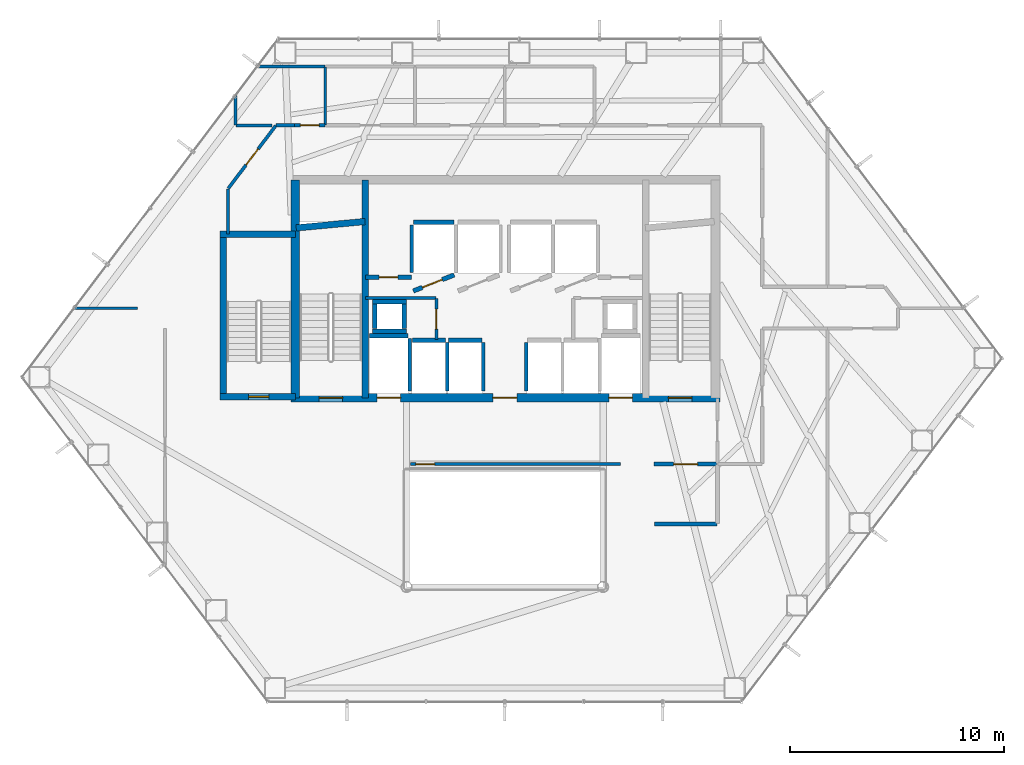
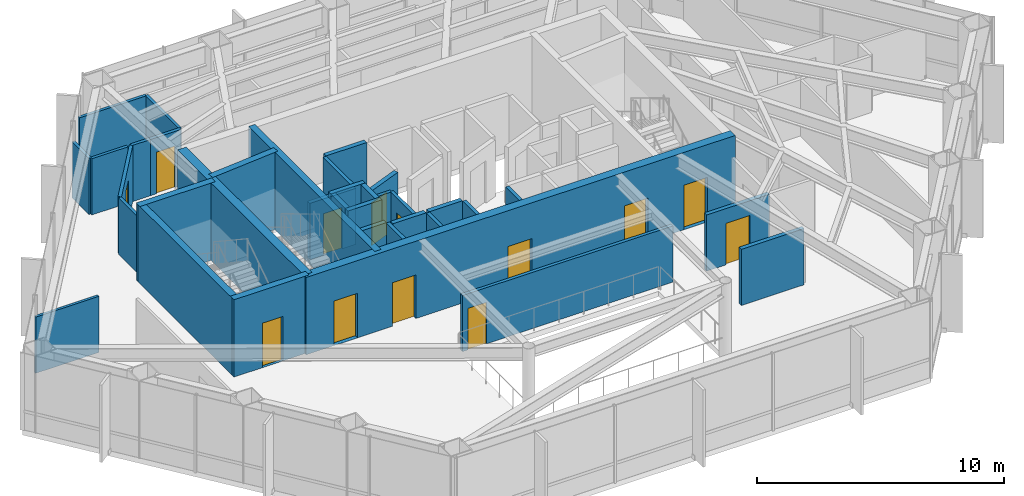
# One storey, part 22 of 25: 36 walls, 13 doors, 13 openings.
"""IFC4 building model written with IfcOpenShell, lengths in metres."""

from ifc_helpers import new_model, si_unit, direction, frame, frame_2d, origin, place, context, subcontext, project, spatial, rectangle, extrude, material, layer, layer_set, type_object, element, fill, save


model = new_model("IFC4")

# Units and contexts
model_context = context("Model", 3, precision=1e-05, world=origin(), true_north=direction((0.0, 1.0)))
body_context = subcontext(model_context, "Body", "Model", "MODEL_VIEW")
ifc_project = project(units=[si_unit("LENGTHUNIT", "METRE"), si_unit("AREAUNIT", "SQUARE_METRE"), si_unit("VOLUMEUNIT", "CUBIC_METRE"), si_unit("PLANEANGLEUNIT", "RADIAN"), si_unit("MASSUNIT", "GRAM", prefix="KILO")], contexts=[model_context])

# Site, building, storey
site_placement = place(None, origin())
site = spatial("IfcSite", under=ifc_project, at=site_placement, CompositionType="ELEMENT")
building_placement = place(site_placement, origin())
building = spatial("IfcBuilding", under=site, at=building_placement, Name="Zarrinselat Tower", CompositionType="ELEMENT")
storey_placement = place(building_placement, frame((0.0, 0.0, 39.780029296875)))
storey = spatial("IfcBuildingStorey", under=building, at=storey_placement, Name="L09", CompositionType="ELEMENT", Elevation=39.780029296875)

# Wall, opening, door
ifc_material_1 = material(Name="Concrete C40/50", Category="concrete")
ifc_layer_1 = layer(ifc_material_1, 0.18994140625)
ifc_layer_set_1 = layer_set([ifc_layer_1], Name="Concrete C40/50")
wall_type_1 = type_object("IfcWallType", Name="WAL-PART-EI120", PredefinedType="PARTITIONING", material=ifc_layer_set_1)
wall_1_placement = place(storey_placement, frame((45.385009765625, 30.14990234375, 0.0), z_axis=(0.0, 0.0, 1.0), x_axis=(1.0, 0.0, 0.0)))
wall_1 = element("IfcWall", 1, at=wall_1_placement, inside=storey, type_object=wall_type_1, Name="L09 Partition Wall 7", PredefinedType="PARTITIONING", context=body_context, shape_type="SweptSolid", body=[
    extrude(rectangle(XDim=2.945068359375, YDim=0.18994140625, at=frame_2d((1.47265625, 0.0))), origin(), (0.0, 0.0, 1.0), 2.77685546875),
])
opening_1_placement = place(wall_1_placement, frame((0.91259765625, 0.0, 0.0)))
opening_1 = element("IfcOpeningElement", 2, at=opening_1_placement, cuts=wall_1, Name="Opening ID-02", PredefinedType="OPENING", context=body_context, shape_type="SweptSolid", body=[
    extrude(rectangle(XDim=1.1201171875, YDim=2.050048828125, at=frame_2d((0.56005859375, 1.02490234375))), frame((0.0, 0.10498046875, 0.0), z_axis=(0.0, -1.0, 0.0), x_axis=(1.0, 0.0, 0.0)), (0.0, 0.0, 1.0), 0.2099609375),
])
ifc_material_2 = material(Name="Steel S355J2", Category="steel")
door_type_1 = type_object("IfcDoorType", Name="DR-INT-FD60-W", OperationType="NOTDEFINED", PredefinedType="DOOR", material=ifc_material_2)
door_1_placement = place(opening_1_placement, origin())
door_1 = element("IfcDoor", 3, at=door_1_placement, inside=storey, type_object=door_type_1, Name="L09 Interior Door P7", OperationType="SINGLE_SWING_LEFT", OverallHeight=2.050048828125, OverallWidth=1.1201171875, PredefinedType="DOOR", context=body_context, shape_type="SweptSolid", body=[
    extrude(rectangle(XDim=1.1201171875, YDim=2.050048828125, at=frame_2d((0.56005859375, 1.02490234375))), frame((0.0, 0.02490234375, 0.0), z_axis=(0.0, -1.0, 0.0), x_axis=(1.0, 0.0, 0.0)), (0.0, 0.0, 1.0), 0.050048828125),
])
fill(opening_1, door_1)

# Wall
wall_2_placement = place(storey_placement, frame((45.39990234375, 27.35009765625, 0.0), z_axis=(0.0, 0.0, 1.0), x_axis=(1.0, 0.0, 0.0)))
element("IfcWall", 4, at=wall_2_placement, inside=storey, type_object=wall_type_1, Name="L09 Partition Wall 10", PredefinedType="PARTITIONING", context=body_context, shape_type="SweptSolid", body=[
    extrude(rectangle(XDim=2.93017578125, YDim=0.18994140625, at=frame_2d((1.465087890625, 0.0))), origin(), (0.0, 0.0, 1.0), 2.77685546875),
])

# Wall, opening, door
ifc_material_3 = material(Name="Fire-Rated Gypsum Board Partition", Category="gypsum")
ifc_layer_2 = layer(ifc_material_3, 0.14990234375)
ifc_layer_set_2 = layer_set([ifc_layer_2], Name="Fire-Rated Gypsum Board Partition")
wall_type_2 = type_object("IfcWallType", Name="WAL-PART-EI60", PredefinedType="PARTITIONING", material=ifc_layer_set_2)
wall_3_placement = place(storey_placement, frame((35.199951171875, 35.969970703125, 0.0), z_axis=(0.0, 0.0, 1.0), x_axis=(0.0, 1.0, 0.0)))
wall_3 = element("IfcWall", 5, at=wall_3_placement, inside=storey, type_object=wall_type_2, Name="L09 Partition Wall 1", PredefinedType="PARTITIONING", context=body_context, shape_type="SweptSolid", body=[
    extrude(rectangle(XDim=1.929931640625, YDim=0.14990234375, at=frame_2d((0.96484375, 0.0))), origin(), (0.0, 0.0, 1.0), 2.77685546875),
])
opening_2_placement = place(wall_3_placement, frame((0.4951171875, 0.0, 0.0)))
opening_2 = element("IfcOpeningElement", 6, at=opening_2_placement, cuts=wall_3, Name="Opening ID-04", PredefinedType="OPENING", context=body_context, shape_type="SweptSolid", body=[
    extrude(rectangle(XDim=0.93994140625, YDim=2.050048828125, at=frame_2d((0.469970703125, 1.02490234375))), frame((0.0, 0.0849609375, 0.0), z_axis=(0.0, -1.0, 0.0), x_axis=(1.0, 0.0, 0.0)), (0.0, 0.0, 1.0), 0.169921875),
])
ifc_material_4 = material(Name="Fire-Rated Gypsum Board Partition")
door_type_2 = type_object("IfcDoorType", Name="DR-INT-FD30-ENT", OperationType="NOTDEFINED", PredefinedType="DOOR", material=ifc_material_4)
door_2_placement = place(opening_2_placement, origin())
door_2 = element("IfcDoor", 7, at=door_2_placement, inside=storey, type_object=door_type_2, Name="L09 Interior Door P1", OperationType="SINGLE_SWING_LEFT", OverallHeight=2.050048828125, OverallWidth=0.93994140625, PredefinedType="DOOR", context=body_context, shape_type="SweptSolid", body=[
    extrude(rectangle(XDim=0.93994140625, YDim=2.050048828125, at=frame_2d((0.469970703125, 1.02490234375))), frame((0.0, 0.02490234375, 0.0), z_axis=(0.0, -1.0, 0.0), x_axis=(1.0, 0.0, 0.0)), (0.0, 0.0, 1.0), 0.050048828125),
])
fill(opening_2, door_2)

# Wall
wall_4_placement = place(storey_placement, frame((31.885009765625, 37.919921875, 0.0), z_axis=(0.0, 0.0, 1.0), x_axis=(1.0, 0.0, 0.0)))
element("IfcWall", 8, at=wall_4_placement, inside=storey, type_object=wall_type_2, Name="L09 Partition Wall 2", PredefinedType="PARTITIONING", context=body_context, shape_type="SweptSolid", body=[
    extrude(rectangle(XDim=3.294921875, YDim=0.14990234375, at=frame_2d((1.6474609375, 0.0))), origin(), (0.0, 0.0, 1.0), 2.77685546875),
])

# Wall, opening, door
wall_5_placement = place(storey_placement, frame((33.985107421875, 30.14990234375, 0.0), z_axis=(0.0, 0.0, 1.0), x_axis=(1.0, 0.0, 0.0)))
wall_5 = element("IfcWall", 9, at=wall_5_placement, inside=storey, type_object=wall_type_2, Name="L09 Partition Wall 9", PredefinedType="PARTITIONING", context=body_context, shape_type="SweptSolid", body=[
    extrude(rectangle(XDim=9.829833984375, YDim=0.14990234375, at=frame_2d((4.9150390625, 0.0))), origin(), (0.0, 0.0, 1.0), 2.77685546875),
])
opening_3_placement = place(wall_5_placement, frame((0.25, 0.0, 0.0)))
opening_3 = element("IfcOpeningElement", 10, at=opening_3_placement, cuts=wall_5, Name="Opening ID-03", PredefinedType="OPENING", context=body_context, shape_type="SweptSolid", body=[
    extrude(rectangle(XDim=0.8798828125, YDim=2.050048828125, at=frame_2d((0.43994140625, 1.02490234375))), frame((0.0, 0.0849609375, 0.0), z_axis=(0.0, -1.0, 0.0), x_axis=(1.0, 0.0, 0.0)), (0.0, 0.0, 1.0), 0.169921875),
])
ifc_material_5 = material(Name="Steel S355J2", Category="steel")
door_type_3 = type_object("IfcDoorType", Name="DR-INT-FD60-S", OperationType="NOTDEFINED", PredefinedType="DOOR", material=ifc_material_5)
door_3_placement = place(opening_3_placement, origin())
door_3 = element("IfcDoor", 11, at=door_3_placement, inside=storey, type_object=door_type_3, Name="L09 Interior Door P9", OperationType="SINGLE_SWING_LEFT", OverallHeight=2.050048828125, OverallWidth=0.8798828125, PredefinedType="DOOR", context=body_context, shape_type="SweptSolid", body=[
    extrude(rectangle(XDim=0.8798828125, YDim=2.050048828125, at=frame_2d((0.43994140625, 1.02490234375))), frame((0.0, 0.02490234375, 0.0), z_axis=(0.0, -1.0, 0.0), x_axis=(1.0, 0.0, 0.0)), (0.0, 0.0, 1.0), 0.050048828125),
])
fill(opening_3, door_3)

# Wall
wall_6_placement = place(storey_placement, frame((27.69580078125, 46.0, 0.0), z_axis=(0.0, 0.0, 1.0), x_axis=(1.0, 0.0, 0.0)))
element("IfcWall", 12, at=wall_6_placement, inside=storey, type_object=wall_type_2, Name="L09 Partition Wall 12", PredefinedType="PARTITIONING", context=body_context, shape_type="SweptSolid", body=[
    extrude(rectangle(XDim=0.854248046875, YDim=0.14990234375, at=frame_2d((0.42724609375, 0.0))), origin(), (0.0, 0.0, 1.0), 2.77685546875),
])

# Wall, opening, door
wall_7_placement = place(storey_placement, frame((28.550048828125, 46.0, 0.0), z_axis=(0.0, 0.0, 1.0), x_axis=(1.0, 0.0, 0.0)))
wall_7 = element("IfcWall", 13, at=wall_7_placement, inside=storey, type_object=wall_type_2, Name="L09 Partition Wall 13", PredefinedType="PARTITIONING", context=body_context, shape_type="SweptSolid", body=[
    extrude(rectangle(XDim=1.445068359375, YDim=0.14990234375, at=frame_2d((0.72265625, 0.0))), origin(), (0.0, 0.0, 1.0), 2.77685546875),
])
opening_4_placement = place(wall_7_placement, frame((0.282470703125, 0.0, 0.0)))
opening_4 = element("IfcOpeningElement", 14, at=opening_4_placement, cuts=wall_7, Name="Opening ID-03", PredefinedType="OPENING", context=body_context, shape_type="SweptSolid", body=[
    extrude(rectangle(XDim=0.8798828125, YDim=2.050048828125, at=frame_2d((0.43994140625, 1.02490234375))), frame((0.0, 0.0849609375, 0.0), z_axis=(0.0, -1.0, 0.0), x_axis=(1.0, 0.0, 0.0)), (0.0, 0.0, 1.0), 0.169921875),
])
door_4_placement = place(opening_4_placement, origin())
door_4 = element("IfcDoor", 15, at=door_4_placement, inside=storey, type_object=door_type_3, Name="L09 Interior Door P13", OperationType="SINGLE_SWING_RIGHT", OverallHeight=2.050048828125, OverallWidth=0.8798828125, PredefinedType="DOOR", context=body_context, shape_type="SweptSolid", body=[
    extrude(rectangle(XDim=0.8798828125, YDim=2.050048828125, at=frame_2d((0.43994140625, 1.02490234375))), frame((0.0, 0.02490234375, 0.0), z_axis=(0.0, -1.0, 0.0), x_axis=(1.0, 0.0, 0.0)), (0.0, 0.0, 1.0), 0.050048828125),
])
fill(opening_4, door_4)

# Wall
wall_8_placement = place(storey_placement, frame((25.449951171875, 40.9150390625, 0.0), z_axis=(0.0, 0.0, 1.0), x_axis=(0.0, 1.0, 0.0)))
element("IfcWall", 16, at=wall_8_placement, inside=storey, type_object=wall_type_2, Name="L09 Partition Wall 24", PredefinedType="PARTITIONING", context=body_context, shape_type="SweptSolid", body=[
    extrude(rectangle(XDim=2.100341796875, YDim=0.14990234375, at=frame_2d((1.05029296875, 0.0))), origin(), (0.0, 0.0, 1.0), 2.77685546875),
])

# Wall, opening, door
wall_9_placement = place(storey_placement, frame((25.462158203125, 43.05126953125, 0.0), z_axis=(0.0, 0.0, 1.0), x_axis=(0.603862791153, 0.7970882821, 0.0)))
wall_9 = element("IfcWall", 17, at=wall_9_placement, inside=storey, type_object=wall_type_2, Name="L09 Partition Wall 25", PredefinedType="PARTITIONING", context=body_context, shape_type="SweptSolid", body=[
    extrude(rectangle(XDim=3.684326171875, YDim=0.14990234375, at=frame_2d((1.84228515625, 0.0))), origin(), (0.0, 0.0, 1.0), 2.77685546875),
])
opening_5_placement = place(wall_9_placement, frame((1.3720703125, 0.0, 0.0)))
opening_5 = element("IfcOpeningElement", 18, at=opening_5_placement, cuts=wall_9, Name="Opening ID-04", PredefinedType="OPENING", context=body_context, shape_type="SweptSolid", body=[
    extrude(rectangle(XDim=0.93994140625, YDim=2.050048828125, at=frame_2d((0.469970703125, 1.02490234375))), frame((0.0, 0.0849609375, 0.0), z_axis=(0.0, -1.0, 0.0), x_axis=(1.0, 0.0, 0.0)), (0.0, 0.0, 1.0), 0.169921875),
])
door_5_placement = place(opening_5_placement, origin())
door_5 = element("IfcDoor", 19, at=door_5_placement, inside=storey, type_object=door_type_2, Name="L09 Interior Door P25", OperationType="SINGLE_SWING_LEFT", OverallHeight=2.050048828125, OverallWidth=0.93994140625, PredefinedType="DOOR", context=body_context, shape_type="SweptSolid", body=[
    extrude(rectangle(XDim=0.93994140625, YDim=2.050048828125, at=frame_2d((0.469970703125, 1.02490234375))), frame((0.0, 0.02490234375, 0.0), z_axis=(0.0, -1.0, 0.0), x_axis=(1.0, 0.0, 0.0)), (0.0, 0.0, 1.0), 0.050048828125),
])
fill(opening_5, door_5)

ifc_material_6 = material(Name="Concrete C40/50", Category="concrete")
ifc_layer_3 = layer(ifc_material_6, 0.199951171875)
ifc_layer_set_3 = layer_set([ifc_layer_3], Name="Concrete C40/50")
wall_type_3 = type_object("IfcWallType", Name="WAL-PART-PLANT", PredefinedType="PARTITIONING", material=ifc_layer_set_3)
wall_10_placement = place(storey_placement, frame((31.885009765625, 38.889892578125, 0.0), z_axis=(0.0, 0.0, 1.0), x_axis=(1.0, 0.0, 0.0)))
wall_10 = element("IfcWall", 20, at=wall_10_placement, inside=storey, type_object=wall_type_3, Name="L09 Partition Wall 3", PredefinedType="PARTITIONING", context=body_context, shape_type="SweptSolid", body=[
    extrude(rectangle(XDim=2.14990234375, YDim=0.199951171875, at=frame_2d((1.074951171875, 0.0))), origin(), (0.0, 0.0, 1.0), 2.77685546875),
])
opening_6_placement = place(wall_10_placement, frame((0.635009765625, 0.0, 0.0)))
opening_6 = element("IfcOpeningElement", 21, at=opening_6_placement, cuts=wall_10, Name="Opening ID-03", PredefinedType="OPENING", context=body_context, shape_type="SweptSolid", body=[
    extrude(rectangle(XDim=0.8798828125, YDim=2.050048828125, at=frame_2d((0.43994140625, 1.02490234375))), frame((0.0, 0.10986328125, 0.0), z_axis=(0.0, -1.0, 0.0), x_axis=(1.0, 0.0, 0.0)), (0.0, 0.0, 1.0), 0.219970703125),
])
door_6_placement = place(opening_6_placement, origin())
door_6 = element("IfcDoor", 22, at=door_6_placement, inside=storey, type_object=door_type_3, Name="L09 Interior Door P3", OperationType="SINGLE_SWING_RIGHT", OverallHeight=2.050048828125, OverallWidth=0.8798828125, PredefinedType="DOOR", context=body_context, shape_type="SweptSolid", body=[
    extrude(rectangle(XDim=0.8798828125, YDim=2.050048828125, at=frame_2d((0.43994140625, 1.02490234375))), frame((0.0, 0.02490234375, 0.0), z_axis=(0.0, -1.0, 0.0), x_axis=(1.0, 0.0, 0.0)), (0.0, 0.0, 1.0), 0.050048828125),
])
fill(opening_6, door_6)

# Walls
ifc_material_7 = material(Name="Fire-Rated Gypsum Board Partition", Category="gypsum")
ifc_layer_4 = layer(ifc_material_7, 0.1201171875)
ifc_layer_set_4 = layer_set([ifc_layer_4], Name="Fire-Rated Gypsum Board Partition")
wall_type_4 = type_object("IfcWallType", Name="WAL-PART-STD", PredefinedType="PARTITIONING", material=ifc_layer_set_4)
wall_11_placement = place(storey_placement, frame((18.27294921875, 37.449951171875, 0.0), z_axis=(0.0, 0.0, 1.0), x_axis=(1.0, 0.0, 0.0)))
element("IfcWall", 23, at=wall_11_placement, inside=storey, type_object=wall_type_4, Name="L09 Partition Wall 44", PredefinedType="PARTITIONING", context=body_context, shape_type="SweptSolid", body=[
    extrude(rectangle(XDim=2.94580078125, YDim=0.1201171875, at=frame_2d((1.472900390625, 0.0))), origin(), (0.0, 0.0, 1.0), 2.77685546875),
])
ifc_material_8 = material(Name="Fire-Rated Gypsum Board Partition", Category="gypsum")
ifc_layer_5 = layer(ifc_material_8, 0.135009765625)
ifc_layer_set_5 = layer_set([ifc_layer_5], Name="Fire-Rated Gypsum Board Partition")
wall_type_5 = type_object("IfcWallType", Name="WAL-PART-WET", PredefinedType="PARTITIONING", material=ifc_layer_set_5)
wall_12_placement = place(storey_placement, frame((30.0, 46.02001953125, 0.0), z_axis=(0.0, 0.0, 1.0), x_axis=(0.0, 1.0, 0.0)))
element("IfcWall", 24, at=wall_12_placement, inside=storey, type_object=wall_type_5, Name="L09 Partition Wall 31", PredefinedType="PARTITIONING", context=body_context, shape_type="SweptSolid", body=[
    extrude(rectangle(XDim=2.7099609375, YDim=0.135009765625, at=frame_2d((1.35498046875, 0.0))), origin(), (0.0, 0.0, 1.0), 2.77685546875),
])
wall_13_placement = place(storey_placement, frame((25.820068359375, 46.0, 0.0), z_axis=(0.0, 0.0, 1.0), x_axis=(1.0, 0.0, 0.0)))
element("IfcWall", 25, at=wall_13_placement, inside=storey, type_object=wall_type_5, Name="L09 Partition Wall 32", PredefinedType="PARTITIONING", context=body_context, shape_type="SweptSolid", body=[
    extrude(rectangle(XDim=1.69482421875, YDim=0.135009765625, at=frame_2d((0.847412109375, 0.0))), origin(), (0.0, 0.0, 1.0), 2.77685546875),
])
wall_14_placement = place(storey_placement, frame((25.800048828125, 46.02001953125, 0.0), z_axis=(0.0, 0.0, 1.0), x_axis=(0.0, 1.0, 0.0)))
element("IfcWall", 26, at=wall_14_placement, inside=storey, type_object=wall_type_5, Name="L09 Partition Wall 33", PredefinedType="PARTITIONING", context=body_context, shape_type="SweptSolid", body=[
    extrude(rectangle(XDim=1.37060546875, YDim=0.135009765625, at=frame_2d((0.685302734375, 0.0))), origin(), (0.0, 0.0, 1.0), 2.77685546875),
])
wall_15_placement = place(storey_placement, frame((26.83349609375, 48.75, 0.0), z_axis=(0.0, 0.0, 1.0), x_axis=(1.0, 0.0, 0.0)))
element("IfcWall", 27, at=wall_15_placement, inside=storey, type_object=wall_type_5, Name="L09 Partition Wall 34", PredefinedType="PARTITIONING", context=body_context, shape_type="SweptSolid", body=[
    extrude(rectangle(XDim=3.146484375, YDim=0.135009765625, at=frame_2d((1.5732421875, 0.0))), origin(), (0.0, 0.0, 1.0), 2.77685546875),
])
ifc_material_9 = material(Name="Concrete C40/50", Category="concrete")
ifc_layer_6 = layer(ifc_material_9, 0.2099609375)
ifc_layer_set_6 = layer_set([ifc_layer_6], Name="Concrete C40/50")
wall_type_6 = type_object("IfcWallType", Name="WAL-SHAFT-210", PredefinedType="SOLIDWALL", material=ifc_layer_set_6)
wall_16_placement = place(storey_placement, frame((32.080078125, 36.155029296875, 0.0), z_axis=(0.0, 0.0, 1.0), x_axis=(1.0, 0.0, 0.0)))
element("IfcWall", 28, at=wall_16_placement, inside=storey, type_object=wall_type_6, Name="L09 Lift FFL1 North Shaft Wall", PredefinedType="SOLIDWALL", context=body_context, shape_type="SweptSolid", body=[
    extrude(rectangle(XDim=1.7998046875, YDim=0.2099609375, at=frame_2d((0.89990234375, 0.0))), origin(), (0.0, 0.0, 1.0), 2.7919921875),
])
wall_17_placement = place(storey_placement, frame((33.949951171875, 33.580078125, 0.0), z_axis=(0.0, 0.0, 1.0), x_axis=(0.0, 1.0, 0.0)))
element("IfcWall", 29, at=wall_17_placement, inside=storey, type_object=wall_type_6, Name="L09 Lift FFL1 E Shaft Wall", PredefinedType="SOLIDWALL", context=body_context, shape_type="SweptSolid", body=[
    extrude(rectangle(XDim=2.449951171875, YDim=0.159912109375, at=frame_2d((1.22509765625, 0.0))), origin(), (0.0, 0.0, 1.0), 2.7919921875),
])

# Wall, opening, door
wall_18_placement = place(storey_placement, frame((34.1201171875, 38.25, 0.0), z_axis=(0.0, 0.0, 1.0), x_axis=(0.930804993012, 0.36551616241, 0.0)))
wall_18 = element("IfcWall", 30, at=wall_18_placement, inside=storey, type_object=wall_type_6, Name="L09 Lift PL1 Front Shaft Wall", PredefinedType="SOLIDWALL", context=body_context, shape_type="SweptSolid", body=[
    extrude(rectangle(XDim=2.052001953125, YDim=0.2099609375, at=frame_2d((1.02587890625, 0.0))), origin(), (0.0, 0.0, 1.0), 2.7919921875),
])
opening_7_placement = place(wall_18_placement, frame((0.455078125, 0.0, 0.0)))
opening_7 = element("IfcOpeningElement", 31, at=opening_7_placement, cuts=wall_18, Name="Opening LD-PL1", PredefinedType="OPENING", context=body_context, shape_type="SweptSolid", body=[
    extrude(rectangle(XDim=1.0, YDim=2.10009765625, at=frame_2d((0.5, 1.050048828125))), frame((0.0, 0.114990234375, 0.0), z_axis=(0.0, -1.0, 0.0), x_axis=(1.0, 0.0, 0.0)), (0.0, 0.0, 1.0), 0.22998046875),
])
ifc_material_10 = material(Name="Steel S355J2", Category="steel")
door_type_4 = type_object("IfcDoorType", Name="DR-LIFT-PS-1000", OperationType="NOTDEFINED", PredefinedType="DOOR", material=ifc_material_10)
door_7_placement = place(opening_7_placement, origin())
door_7 = element("IfcDoor", 32, at=door_7_placement, inside=storey, type_object=door_type_4, Name="L09 Lift PL1 Sliding Landing Door", OperationType="SLIDING_TO_LEFT", OverallHeight=2.10009765625, OverallWidth=1.0, PredefinedType="DOOR", context=body_context, shape_type="SweptSolid", body=[
    extrude(rectangle(XDim=1.0, YDim=2.10009765625, at=frame_2d((0.5, 1.050048828125))), frame((0.0, 0.02490234375, 0.0), z_axis=(0.0, -1.0, 0.0), x_axis=(1.0, 0.0, 0.0)), (0.0, 0.0, 1.0), 0.050048828125),
])
fill(opening_7, door_7)

# Walls
wall_19_placement = place(storey_placement, frame((34.1201171875, 41.455078125, 0.0), z_axis=(0.0, 0.0, 1.0), x_axis=(1.0, 0.0, 0.0)))
element("IfcWall", 33, at=wall_19_placement, inside=storey, type_object=wall_type_6, Name="L09 Lift PL1 Rear Shaft Wall", PredefinedType="SOLIDWALL", context=body_context, shape_type="SweptSolid", body=[
    extrude(rectangle(XDim=1.909912109375, YDim=0.2099609375, at=frame_2d((0.955078125, 0.0))), origin(), (0.0, 0.0, 1.0), 2.7919921875),
])
wall_20_placement = place(storey_placement, frame((34.050048828125, 39.1201171875, 0.0), z_axis=(0.0, 0.0, 1.0), x_axis=(0.0, 1.0, 0.0)))
element("IfcWall", 34, at=wall_20_placement, inside=storey, type_object=wall_type_6, Name="L09 Lift PL1 W Shaft Wall", PredefinedType="SOLIDWALL", context=body_context, shape_type="SweptSolid", body=[
    extrude(rectangle(XDim=2.2099609375, YDim=0.159912109375, at=frame_2d((1.10498046875, 0.0))), origin(), (0.0, 0.0, 1.0), 2.7919921875),
])
wall_21_placement = place(storey_placement, frame((34.070068359375, 35.955078125, 0.0), z_axis=(0.0, 0.0, 1.0), x_axis=(1.0, 0.0, 0.0)))
element("IfcWall", 35, at=wall_21_placement, inside=storey, type_object=wall_type_6, Name="L09 Lift PL5 North Shaft Wall", PredefinedType="SOLIDWALL", context=body_context, shape_type="SweptSolid", body=[
    extrude(rectangle(XDim=1.559814453125, YDim=0.2099609375, at=frame_2d((0.77978515625, 0.0))), origin(), (0.0, 0.0, 1.0), 2.7919921875),
])
wall_22_placement = place(storey_placement, frame((35.699951171875, 33.580078125, 0.0), z_axis=(0.0, 0.0, 1.0), x_axis=(0.0, 1.0, 0.0)))
element("IfcWall", 36, at=wall_22_placement, inside=storey, type_object=wall_type_6, Name="L09 Lift PL5 E Shaft Wall", PredefinedType="SOLIDWALL", context=body_context, shape_type="SweptSolid", body=[
    extrude(rectangle(XDim=2.25, YDim=0.159912109375, at=frame_2d((1.125, 0.0))), origin(), (0.0, 0.0, 1.0), 2.7919921875),
])
wall_23_placement = place(storey_placement, frame((35.77001953125, 35.955078125, 0.0), z_axis=(0.0, 0.0, 1.0), x_axis=(1.0, 0.0, 0.0)))
element("IfcWall", 37, at=wall_23_placement, inside=storey, type_object=wall_type_6, Name="L09 Lift PL6 North Shaft Wall", PredefinedType="SOLIDWALL", context=body_context, shape_type="SweptSolid", body=[
    extrude(rectangle(XDim=1.56005859375, YDim=0.2099609375, at=frame_2d((0.780029296875, 0.0))), origin(), (0.0, 0.0, 1.0), 2.7919921875),
])
for number, where, z_axis, x_axis, name in (
    (38, (37.39990234375, 33.580078125, 0.0), (0.0, 0.0, 1.0), (0.0, 1.0, 0.0), "L09 Lift PL6 E Shaft Wall"),
    (39, (39.39990234375, 33.580078125, 0.0), (0.0, 0.0, 1.0), (0.0, 1.0, 0.0), "L09 Lift PL8 W Shaft Wall"),
):
    element("IfcWall", number, at=place(storey_placement, frame(where, z_axis=z_axis, x_axis=x_axis)), inside=storey, type_object=wall_type_6, Name=name, PredefinedType="SOLIDWALL", context=body_context, shape_type="SweptSolid", body=[
        extrude(rectangle(XDim=2.25, YDim=0.159912109375, at=frame_2d((1.125, 0.0))), origin(), (0.0, 0.0, 1.0), 2.7919921875),
    ])
for number, where, z_axis, x_axis, name in (
    (40, (32.2099609375, 36.375, 0.0), (0.0, 0.0, 1.0), (1.0, 0.0, 0.0), "L09 Core Riser RSR-W S Shaft Wall"),
    (41, (32.2099609375, 37.7451171875, 0.0), (0.0, 0.0, 1.0), (1.0, 0.0, 0.0), "L09 Core Riser RSR-W N Shaft Wall"),
):
    element("IfcWall", number, at=place(storey_placement, frame(where, z_axis=z_axis, x_axis=x_axis)), inside=storey, type_object=wall_type_6, Name=name, PredefinedType="SOLIDWALL", context=body_context, shape_type="SweptSolid", body=[
        extrude(rectangle(XDim=1.60009765625, YDim=0.2099609375, at=frame_2d((0.800048828125, 0.0))), origin(), (0.0, 0.0, 1.0), 3.820068359375),
    ])
for number, where, z_axis, x_axis, name in (
    (42, (32.31494140625, 36.485107421875, 0.0), (0.0, 0.0, 1.0), (0.0, 1.0, 0.0), "L09 Core Riser RSR-W W Shaft Wall"),
    (43, (33.705078125, 36.485107421875, 0.0), (0.0, 0.0, 1.0), (0.0, 1.0, 0.0), "L09 Core Riser RSR-W E Shaft Wall"),
):
    element("IfcWall", number, at=place(storey_placement, frame(where, z_axis=z_axis, x_axis=x_axis)), inside=storey, type_object=wall_type_6, Name=name, PredefinedType="SOLIDWALL", context=body_context, shape_type="SweptSolid", body=[
        extrude(rectangle(XDim=1.14990234375, YDim=0.2099609375, at=frame_2d((0.574951171875, 0.0))), origin(), (0.0, 0.0, 1.0), 3.820068359375),
    ])
ifc_material_11 = material(Name="Concrete C40/50", Category="concrete")
ifc_layer_7 = layer(ifc_material_11, 0.300048828125)
ifc_layer_set_7 = layer_set([ifc_layer_7], Name="Concrete C40/50")
wall_type_7 = type_object("IfcWallType", Name="WAL-SHEAR-300", PredefinedType="SHEAR", material=ifc_layer_set_7)
wall_24_placement = place(storey_placement, frame((31.8701171875, 33.25, 0.0), z_axis=(0.0, 0.0, 1.0), x_axis=(0.0, 1.0, 0.0)))
element("IfcWall", 44, at=wall_24_placement, inside=storey, type_object=wall_type_7, Name="L09 Core Shear Wall ST1E", PredefinedType="SHEAR", context=body_context, shape_type="SweptSolid", body=[
    extrude(rectangle(XDim=10.199951171875, YDim=0.300048828125, at=frame_2d((5.10009765625, 0.0))), origin(), (0.0, 0.0, 1.0), 3.820068359375),
])
wall_25_placement = place(storey_placement, frame((28.639892578125, 41.199951171875, 0.0), z_axis=(0.0, 0.0, 1.0), x_axis=(0.995687118776, 0.092774789157, 0.0)))
element("IfcWall", 45, at=wall_25_placement, inside=storey, type_object=wall_type_7, Name="L09 Stair 1 North Shaft Wall", PredefinedType="SHEAR", context=body_context, shape_type="SweptSolid", body=[
    extrude(rectangle(XDim=3.234130859375, YDim=0.300048828125, at=frame_2d((1.6171875, 0.0))), origin(), (0.0, 0.0, 1.0), 3.820068359375),
])
wall_26_placement = place(storey_placement, frame((25.080078125, 40.89990234375, 0.0), z_axis=(0.0, 0.0, 1.0), x_axis=(1.0, 0.0, 0.0)))
element("IfcWall", 46, at=wall_26_placement, inside=storey, type_object=wall_type_7, Name="L09 Stair 3 North Shear Wall", PredefinedType="SHEAR", context=body_context, shape_type="SweptSolid", body=[
    extrude(rectangle(XDim=3.52001953125, YDim=0.300048828125, at=frame_2d((1.760009765625, 0.0))), origin(), (0.0, 0.0, 1.0), 3.820068359375),
])

# Wall, opening, door
wall_27_placement = place(storey_placement, frame((25.080078125, 33.300048828125, 0.0), z_axis=(0.0, 0.0, 1.0), x_axis=(1.0, 0.0, 0.0)))
wall_27 = element("IfcWall", 47, at=wall_27_placement, inside=storey, type_object=wall_type_7, Name="L09 Stair 3 South Shear Wall", PredefinedType="SHEAR", context=body_context, shape_type="SweptSolid", body=[
    extrude(rectangle(XDim=3.52001953125, YDim=0.300048828125, at=frame_2d((1.760009765625, 0.0))), origin(), (0.0, 0.0, 1.0), 3.820068359375),
])
opening_8_placement = place(wall_27_placement, frame((1.3349609375, 0.0, 0.0)))
opening_8 = element("IfcOpeningElement", 48, at=opening_8_placement, cuts=wall_27, Name="Opening SD-02", PredefinedType="OPENING", context=body_context, shape_type="SweptSolid", body=[
    extrude(rectangle(XDim=0.949951171875, YDim=2.199951171875, at=frame_2d((0.47509765625, 1.10009765625))), frame((0.0, 0.159912109375, 0.0), z_axis=(0.0, -1.0, 0.0), x_axis=(1.0, 0.0, 0.0)), (0.0, 0.0, 1.0), 0.320068359375),
])
ifc_material_12 = material(Name="Steel S355J2", Category="steel")
door_type_5 = type_object("IfcDoorType", Name="DR-STAIR-1050", OperationType="NOTDEFINED", PredefinedType="DOOR", material=ifc_material_12)
door_8_placement = place(opening_8_placement, origin())
door_8 = element("IfcDoor", 49, at=door_8_placement, inside=storey, type_object=door_type_5, Name="L09 Exit Stair 3 Fire Door", OperationType="SINGLE_SWING_LEFT", OverallHeight=2.199951171875, OverallWidth=0.949951171875, PredefinedType="DOOR", context=body_context, shape_type="SweptSolid", body=[
    extrude(rectangle(XDim=0.949951171875, YDim=2.199951171875, at=frame_2d((0.47509765625, 1.10009765625))), frame((0.0, 0.02490234375, 0.0), z_axis=(0.0, -1.0, 0.0), x_axis=(1.0, 0.0, 0.0)), (0.0, 0.0, 1.0), 0.050048828125),
])
fill(opening_8, door_8)

# Wall
wall_28_placement = place(storey_placement, frame((25.22998046875, 33.300048828125, 0.0), z_axis=(0.0, 0.0, 1.0), x_axis=(0.0, 1.0, 0.0)))
element("IfcWall", 50, at=wall_28_placement, inside=storey, type_object=wall_type_7, Name="L09 Stair 3 West Shear Wall", PredefinedType="SHEAR", context=body_context, shape_type="SweptSolid", body=[
    extrude(rectangle(XDim=7.599853515625, YDim=0.300048828125, at=frame_2d((3.7998046875, 0.0))), origin(), (0.0, 0.0, 1.0), 3.820068359375),
])

# Wall, openings, doors
ifc_material_13 = material(Name="Concrete C60/75", Category="concrete")
ifc_layer_8 = layer(ifc_material_13, 0.39990234375)
ifc_layer_set_8 = layer_set([ifc_layer_8], Name="Concrete C60/75")
wall_type_8 = type_object("IfcWallType", Name="WAL-SHEAR-400", PredefinedType="SHEAR", material=ifc_layer_set_8)
wall_29_placement = place(storey_placement, frame((28.39990234375, 33.25, 0.0), z_axis=(0.0, 0.0, 1.0), x_axis=(1.0, 0.0, 0.0)))
wall_29 = element("IfcWall", 51, at=wall_29_placement, inside=storey, type_object=wall_type_8, Name="L09 South Core Shear Wall", PredefinedType="SHEAR", context=body_context, shape_type="SweptSolid", body=[
    extrude(rectangle(XDim=20.06005859375, YDim=0.39990234375, at=frame_2d((10.030029296875, 0.0))), origin(), (0.0, 0.0, 1.0), 3.820068359375),
])
opening_9_placement = place(wall_29_placement, frame((4.030029296875, 0.0, 0.0)))
opening_9 = element("IfcOpeningElement", 52, at=opening_9_placement, cuts=wall_29, Name="Opening LD-FFL1", PredefinedType="OPENING", context=body_context, shape_type="SweptSolid", body=[
    extrude(rectangle(XDim=1.10009765625, YDim=2.14990234375, at=frame_2d((0.550048828125, 1.074951171875))), frame((0.0, 0.2099609375, 0.0), z_axis=(0.0, -1.0, 0.0), x_axis=(1.0, 0.0, 0.0)), (0.0, 0.0, 1.0), 0.419921875),
])
opening_10_placement = place(wall_29_placement, frame((14.8701171875, 0.0, 0.0)))
opening_10 = element("IfcOpeningElement", 53, at=opening_10_placement, cuts=wall_29, Name="Opening LD-FFL2", PredefinedType="OPENING", context=body_context, shape_type="SweptSolid", body=[
    extrude(rectangle(XDim=1.10009765625, YDim=2.14990234375, at=frame_2d((0.550048828125, 1.074951171875))), frame((0.0, 0.2099609375, 0.0), z_axis=(0.0, -1.0, 0.0), x_axis=(1.0, 0.0, 0.0)), (0.0, 0.0, 1.0), 0.419921875),
])
opening_11_placement = place(wall_29_placement, frame((1.31005859375, 0.0, 0.0)))
opening_11 = element("IfcOpeningElement", 54, at=opening_11_placement, cuts=wall_29, Name="Opening SD-01", PredefinedType="OPENING", context=body_context, shape_type="SweptSolid", body=[
    extrude(rectangle(XDim=1.10009765625, YDim=2.199951171875, at=frame_2d((0.550048828125, 1.10009765625))), frame((0.0, 0.2099609375, 0.0), z_axis=(0.0, -1.0, 0.0), x_axis=(1.0, 0.0, 0.0)), (0.0, 0.0, 1.0), 0.419921875),
])
opening_12_placement = place(wall_29_placement, frame((9.43994140625, 0.0, 0.0)))
opening_12 = element("IfcOpeningElement", 55, at=opening_12_placement, cuts=wall_29, Name="Opening ID-02", PredefinedType="OPENING", context=body_context, shape_type="SweptSolid", body=[
    extrude(rectangle(XDim=1.1201171875, YDim=2.050048828125, at=frame_2d((0.56005859375, 1.02490234375))), frame((0.0, 0.2099609375, 0.0), z_axis=(0.0, -1.0, 0.0), x_axis=(1.0, 0.0, 0.0)), (0.0, 0.0, 1.0), 0.419921875),
])
opening_13_placement = place(wall_29_placement, frame((17.64990234375, 0.0, 0.0)))
opening_13 = element("IfcOpeningElement", 56, at=opening_13_placement, cuts=wall_29, Name="Opening SD-01", PredefinedType="OPENING", context=body_context, shape_type="SweptSolid", body=[
    extrude(rectangle(XDim=1.10009765625, YDim=2.199951171875, at=frame_2d((0.550048828125, 1.10009765625))), frame((0.0, 0.2099609375, 0.0), z_axis=(0.0, -1.0, 0.0), x_axis=(1.0, 0.0, 0.0)), (0.0, 0.0, 1.0), 0.419921875),
])
door_9_placement = place(opening_12_placement, origin())
door_9 = element("IfcDoor", 57, at=door_9_placement, inside=storey, type_object=door_type_1, Name="L09 Core Service Vestibule Fire Door", OperationType="SINGLE_SWING_LEFT", OverallHeight=2.050048828125, OverallWidth=1.1201171875, PredefinedType="DOOR", context=body_context, shape_type="SweptSolid", body=[
    extrude(rectangle(XDim=1.1201171875, YDim=2.050048828125, at=frame_2d((0.56005859375, 1.02490234375))), frame((0.0, 0.02490234375, 0.0), z_axis=(0.0, -1.0, 0.0), x_axis=(1.0, 0.0, 0.0)), (0.0, 0.0, 1.0), 0.050048828125),
])
fill(opening_12, door_9)
ifc_material_14 = material(Name="Steel S355J2", Category="steel")
door_type_6 = type_object("IfcDoorType", Name="DR-LIFT-FF-1100", OperationType="NOTDEFINED", PredefinedType="DOOR", material=ifc_material_14)
door_10_placement = place(opening_9_placement, origin())
door_10 = element("IfcDoor", 58, at=door_10_placement, inside=storey, type_object=door_type_6, Name="L09 Lift FFL1 Sliding Landing Door", OperationType="SLIDING_TO_LEFT", OverallHeight=2.14990234375, OverallWidth=1.10009765625, PredefinedType="DOOR", context=body_context, shape_type="SweptSolid", body=[
    extrude(rectangle(XDim=1.10009765625, YDim=2.14990234375, at=frame_2d((0.550048828125, 1.074951171875))), frame((0.0, 0.02490234375, 0.0), z_axis=(0.0, -1.0, 0.0), x_axis=(1.0, 0.0, 0.0)), (0.0, 0.0, 1.0), 0.050048828125),
])
fill(opening_9, door_10)
door_11_placement = place(opening_10_placement, origin())
door_11 = element("IfcDoor", 59, at=door_11_placement, inside=storey, type_object=door_type_6, Name="L09 Lift FFL2 Sliding Landing Door", OperationType="SLIDING_TO_RIGHT", OverallHeight=2.14990234375, OverallWidth=1.10009765625, PredefinedType="DOOR", context=body_context, shape_type="SweptSolid", body=[
    extrude(rectangle(XDim=1.10009765625, YDim=2.14990234375, at=frame_2d((0.550048828125, 1.074951171875))), frame((0.0, 0.02490234375, 0.0), z_axis=(0.0, -1.0, 0.0), x_axis=(1.0, 0.0, 0.0)), (0.0, 0.0, 1.0), 0.050048828125),
])
fill(opening_10, door_11)
ifc_material_15 = material(Name="Steel S355J2", Category="steel")
door_type_7 = type_object("IfcDoorType", Name="DR-STAIR-1100", OperationType="NOTDEFINED", PredefinedType="DOOR", material=ifc_material_15)
door_12_placement = place(opening_11_placement, origin())
door_12 = element("IfcDoor", 60, at=door_12_placement, inside=storey, type_object=door_type_7, Name="L09 Exit Stair 1 Fire Door", OperationType="SINGLE_SWING_LEFT", OverallHeight=2.199951171875, OverallWidth=1.10009765625, PredefinedType="DOOR", context=body_context, shape_type="SweptSolid", body=[
    extrude(rectangle(XDim=1.10009765625, YDim=2.199951171875, at=frame_2d((0.550048828125, 1.10009765625))), frame((0.0, 0.02490234375, 0.0), z_axis=(0.0, -1.0, 0.0), x_axis=(1.0, 0.0, 0.0)), (0.0, 0.0, 1.0), 0.050048828125),
])
fill(opening_11, door_12)
door_13_placement = place(opening_13_placement, origin())
door_13 = element("IfcDoor", 61, at=door_13_placement, inside=storey, type_object=door_type_7, Name="L09 Exit Stair 2 Fire Door", OperationType="SINGLE_SWING_RIGHT", OverallHeight=2.199951171875, OverallWidth=1.10009765625, PredefinedType="DOOR", context=body_context, shape_type="SweptSolid", body=[
    extrude(rectangle(XDim=1.10009765625, YDim=2.199951171875, at=frame_2d((0.550048828125, 1.10009765625))), frame((0.0, 0.02490234375, 0.0), z_axis=(0.0, -1.0, 0.0), x_axis=(1.0, 0.0, 0.0)), (0.0, 0.0, 1.0), 0.050048828125),
])
fill(opening_13, door_13)

# Wall
wall_30_placement = place(storey_placement, frame((28.60009765625, 33.25, 0.0), z_axis=(0.0, 0.0, 1.0), x_axis=(0.0, 1.0, 0.0)))
element("IfcWall", 62, at=wall_30_placement, inside=storey, type_object=wall_type_8, Name="L09 Core Shear Wall W", PredefinedType="SHEAR", context=body_context, shape_type="SweptSolid", body=[
    extrude(rectangle(XDim=10.199951171875, YDim=0.39990234375, at=frame_2d((5.10009765625, 0.0))), origin(), (0.0, 0.0, 1.0), 3.820068359375),
])

save(model, "model.ifc")
